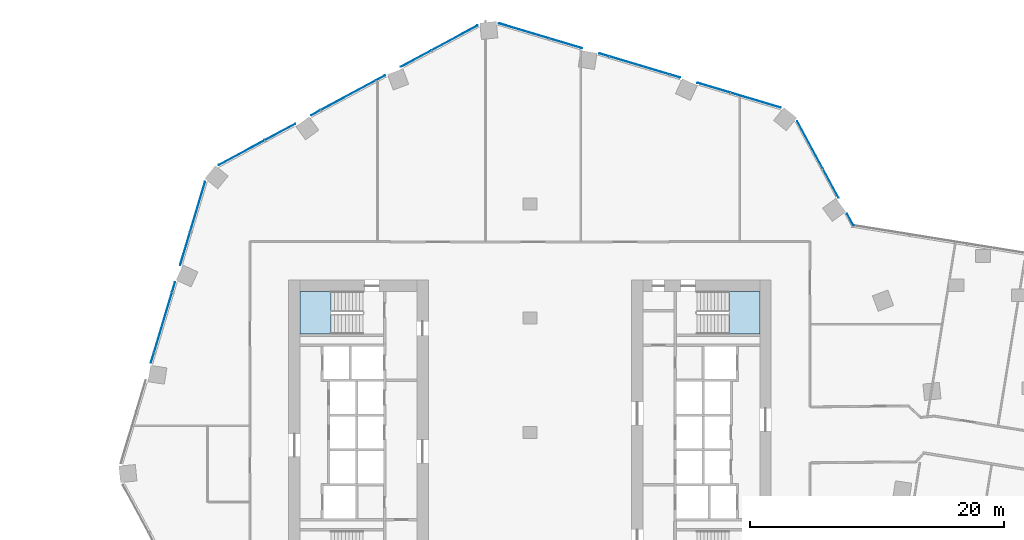
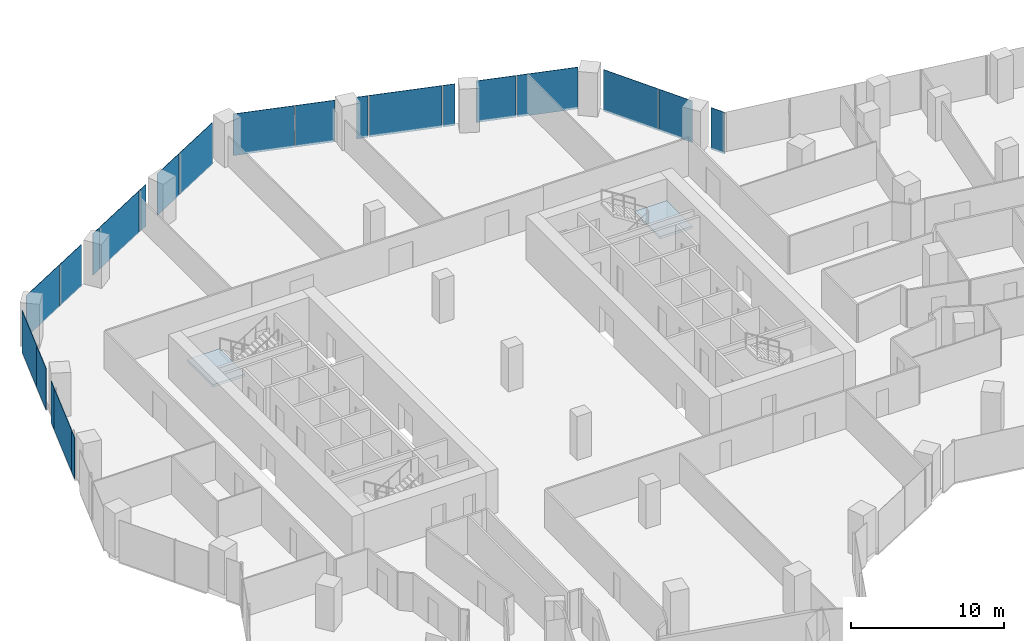
# One storey, part 23 of 34: 22 plates, 2 slabs, 6 elements without a shape of their own.
"""IFC4 building model written with IfcOpenShell, lengths in metres."""

from ifc_helpers import new_model, si_unit, direction, frame, origin, origin_2d, place, context, subcontext, project, spatial, polyline, rectangle, outline, extrude, material, layer, layer_set, type_object, element, aggregate, save


model = new_model("IFC4")

# Units and contexts
model_context = context("Model", 3, precision=1e-05, world=origin(), true_north=direction((0.0, 1.0)))
body_context = subcontext(model_context, "Body", "Model", "MODEL_VIEW")
ifc_project = project(units=[si_unit("LENGTHUNIT", "METRE"), si_unit("AREAUNIT", "SQUARE_METRE"), si_unit("VOLUMEUNIT", "CUBIC_METRE"), si_unit("PLANEANGLEUNIT", "RADIAN"), si_unit("MASSUNIT", "GRAM", prefix="KILO")], contexts=[model_context])

# Site, building, storey
site_placement = place(None, origin())
site = spatial("IfcSite", under=ifc_project, at=site_placement, CompositionType="ELEMENT")
building_placement = place(site_placement, origin())
building = spatial("IfcBuilding", under=site, at=building_placement, Name="Orlundy Tower", CompositionType="ELEMENT")
storey_placement = place(building_placement, frame((0.0, 0.0, 134.199951171875)))
storey = spatial("IfcBuildingStorey", under=building, at=storey_placement, Name="L34", CompositionType="ELEMENT", Elevation=134.199951171875)

# Curtain wall, plates
ifc_material_1 = material(Name="Aluminium bronze anodised", Category="aluminium")
curtain_wall_type = type_object("IfcCurtainWallType", Name="CW1 wall", PredefinedType="NOTDEFINED", material=ifc_material_1)
curtain_wall_1_placement = place(storey_placement, origin())
curtain_wall_1 = element("IfcCurtainWall", 1, at=curtain_wall_1_placement, inside=storey, type_object=curtain_wall_type, Name="CW1 run 02", PredefinedType="NOTDEFINED")
ifc_material_2 = material(Name="Tinted glass", Category="glass")
ifc_layer_1 = layer(ifc_material_2, 0.031982421875)
ifc_layer_set_1 = layer_set([ifc_layer_1], Name="CW1 glass panel 32")
plate_type = type_object("IfcPlateType", Name="CW1 glass panel 32", PredefinedType="CURTAIN_PANEL", material=ifc_layer_set_1)
plate_1_placement = place(storey_placement, frame((-29.731201171875, 5.86474609375, -0.280029296875), z_axis=(0.0, 0.0, 1.0), x_axis=(0.286816257107, 0.957985612971, 0.0)))
plate_1 = element("IfcPlate", 2, at=plate_1_placement, type_object=plate_type, Name="CW1 panel", PredefinedType="CURTAIN_PANEL", context=body_context, shape_type="SweptSolid", body=[
    extrude(rectangle(XDim=0.796630859375, YDim=0.031982421875, at=origin_2d()), origin(), (0.0, 0.0, 1.0), 3.330078125),
])
plate_2_placement = place(storey_placement, frame((-28.897216796875, 8.651123046875, -0.280029296875), z_axis=(0.0, 0.0, 1.0), x_axis=(0.286816257107, 0.957985612971, 0.0)))
plate_2 = element("IfcPlate", 3, at=plate_2_placement, type_object=plate_type, Name="CW1 panel", PredefinedType="CURTAIN_PANEL", context=body_context, shape_type="SweptSolid", body=[
    extrude(rectangle(XDim=4.92041015625, YDim=0.031982421875, at=origin_2d()), origin(), (0.0, 0.0, 1.0), 3.330078125),
])
plate_3_placement = place(storey_placement, frame((-28.06298828125, 11.4375, -0.280029296875), z_axis=(0.0, 0.0, 1.0), x_axis=(0.286816257107, 0.957985612971, 0.0)))
plate_3 = element("IfcPlate", 4, at=plate_3_placement, type_object=plate_type, Name="CW1 panel", PredefinedType="CURTAIN_PANEL", context=body_context, shape_type="SweptSolid", body=[
    extrude(rectangle(XDim=0.796875, YDim=0.031982421875, at=origin_2d()), origin(), (0.0, 0.0, 1.0), 3.330078125),
])
plate_4_placement = place(storey_placement, frame((-27.1513671875, 14.481689453125, -0.280029296875), z_axis=(0.0, 0.0, 1.0), x_axis=(0.286816257107, 0.957985612971, 0.0)))
plate_4 = element("IfcPlate", 5, at=plate_4_placement, type_object=plate_type, Name="CW1 panel", PredefinedType="CURTAIN_PANEL", context=body_context, shape_type="SweptSolid", body=[
    extrude(rectangle(XDim=2.6884765625, YDim=0.031982421875, at=origin_2d()), origin(), (0.0, 0.0, 1.0), 3.330078125),
])
plate_5_placement = place(storey_placement, frame((-26.16455078125, 17.7783203125, -0.280029296875), z_axis=(0.0, 0.0, 1.0), x_axis=(0.286816257107, 0.957985612971, 0.0)))
plate_5 = element("IfcPlate", 6, at=plate_5_placement, type_object=plate_type, Name="CW1 panel", PredefinedType="CURTAIN_PANEL", context=body_context, shape_type="SweptSolid", body=[
    extrude(rectangle(XDim=4.09375, YDim=0.031982421875, at=origin_2d()), origin(), (0.0, 0.0, 1.0), 3.330078125),
])
aggregate(curtain_wall_1, [plate_1, plate_2, plate_3, plate_4, plate_5])

curtain_wall_2_placement = place(storey_placement, origin())
curtain_wall_2 = element("IfcCurtainWall", 7, at=curtain_wall_2_placement, inside=storey, type_object=curtain_wall_type, Name="CW1 run 03", PredefinedType="NOTDEFINED")
plate_6_placement = place(storey_placement, frame((-22.701904296875, 22.0283203125, -0.280029296875), z_axis=(0.0, 0.0, 1.0), x_axis=(0.880191882793, 0.47461800373, 0.0)))
plate_6 = element("IfcPlate", 8, at=plate_6_placement, type_object=plate_type, Name="CW1 panel", PredefinedType="CURTAIN_PANEL", context=body_context, shape_type="SweptSolid", body=[
    extrude(rectangle(XDim=4.09326171875, YDim=0.031982421875, at=origin_2d()), origin(), (0.0, 0.0, 1.0), 3.330078125),
])
plate_7_placement = place(storey_placement, frame((-19.67138671875, 23.662353515625, -0.280029296875), z_axis=(0.0, 0.0, 1.0), x_axis=(0.880191882793, 0.47461800373, 0.0)))
plate_7 = element("IfcPlate", 9, at=plate_7_placement, type_object=plate_type, Name="CW1 panel", PredefinedType="CURTAIN_PANEL", context=body_context, shape_type="SweptSolid", body=[
    extrude(rectangle(XDim=2.69287109375, YDim=0.031982421875, at=origin_2d()), origin(), (0.0, 0.0, 1.0), 3.330078125),
])
plate_8_placement = place(storey_placement, frame((-16.8759765625, 25.169921875, -0.280029296875), z_axis=(0.0, 0.0, 1.0), x_axis=(0.880191882793, 0.47461800373, 0.0)))
plate_8 = element("IfcPlate", 10, at=plate_8_placement, type_object=plate_type, Name="CW1 panel", PredefinedType="CURTAIN_PANEL", context=body_context, shape_type="SweptSolid", body=[
    extrude(rectangle(XDim=0.79638671875, YDim=0.031982421875, at=origin_2d()), origin(), (0.0, 0.0, 1.0), 3.330078125),
])
plate_9_placement = place(storey_placement, frame((-14.31591796875, 26.55029296875, -0.280029296875), z_axis=(0.0, 0.0, 1.0), x_axis=(0.880191882793, 0.47461800373, 0.0)))
plate_9 = element("IfcPlate", 11, at=plate_9_placement, type_object=plate_type, Name="CW1 panel", PredefinedType="CURTAIN_PANEL", context=body_context, shape_type="SweptSolid", body=[
    extrude(rectangle(XDim=4.920654296875, YDim=0.031982421875, at=origin_2d()), origin(), (0.0, 0.0, 1.0), 3.330078125),
])
plate_10_placement = place(storey_placement, frame((-11.755615234375, 27.930908203125, -0.280029296875), z_axis=(0.0, 0.0, 1.0), x_axis=(0.880191882793, 0.47461800373, 0.0)))
plate_10 = element("IfcPlate", 12, at=plate_10_placement, type_object=plate_type, Name="CW1 panel", PredefinedType="CURTAIN_PANEL", context=body_context, shape_type="SweptSolid", body=[
    extrude(rectangle(XDim=0.79638671875, YDim=0.031982421875, at=origin_2d()), origin(), (0.0, 0.0, 1.0), 3.330078125),
])
plate_11_placement = place(storey_placement, frame((-8.9609375, 29.437744140625, -0.280029296875), z_axis=(0.0, 0.0, 1.0), x_axis=(0.880191882793, 0.47461800373, 0.0)))
plate_11 = element("IfcPlate", 13, at=plate_11_placement, type_object=plate_type, Name="CW1 panel", PredefinedType="CURTAIN_PANEL", context=body_context, shape_type="SweptSolid", body=[
    extrude(rectangle(XDim=2.69482421875, YDim=0.031982421875, at=origin_2d()), origin(), (0.0, 0.0, 1.0), 3.330078125),
])
plate_12_placement = place(storey_placement, frame((-5.929443359375, 31.072509765625, -0.280029296875), z_axis=(0.0, 0.0, 1.0), x_axis=(0.880191882793, 0.47461800373, 0.0)))
plate_12 = element("IfcPlate", 14, at=plate_12_placement, type_object=plate_type, Name="CW1 panel", PredefinedType="CURTAIN_PANEL", context=body_context, shape_type="SweptSolid", body=[
    extrude(rectangle(XDim=4.09375, YDim=0.031982421875, at=origin_2d()), origin(), (0.0, 0.0, 1.0), 3.330078125),
])
aggregate(curtain_wall_2, [plate_6, plate_7, plate_8, plate_9, plate_10, plate_11, plate_12])

curtain_wall_3_placement = place(storey_placement, origin())
curtain_wall_3 = element("IfcCurtainWall", 15, at=curtain_wall_3_placement, inside=storey, type_object=curtain_wall_type, Name="CW1 run 04", PredefinedType="NOTDEFINED")
plate_13_placement = place(storey_placement, frame((-0.47607421875, 31.629638671875, -0.280029296875), z_axis=(0.0, 0.0, 1.0), x_axis=(0.957985612971, -0.286816257107, 0.0)))
plate_13 = element("IfcPlate", 16, at=plate_13_placement, type_object=plate_type, Name="CW1 panel", PredefinedType="CURTAIN_PANEL", context=body_context, shape_type="SweptSolid", body=[
    extrude(rectangle(XDim=4.09326171875, YDim=0.031982421875, at=origin_2d()), origin(), (0.0, 0.0, 1.0), 3.330078125),
])
plate_14_placement = place(storey_placement, frame((2.822998046875, 30.64208984375, -0.280029296875), z_axis=(0.0, 0.0, 1.0), x_axis=(0.957985612971, -0.286816257107, 0.0)))
plate_14 = element("IfcPlate", 17, at=plate_14_placement, type_object=plate_type, Name="CW1 panel", PredefinedType="CURTAIN_PANEL", context=body_context, shape_type="SweptSolid", body=[
    extrude(rectangle(XDim=2.69384765625, YDim=0.031982421875, at=origin_2d()), origin(), (0.0, 0.0, 1.0), 3.330078125),
])
plate_15_placement = place(storey_placement, frame((5.86474609375, 29.731201171875, -0.280029296875), z_axis=(0.0, 0.0, 1.0), x_axis=(0.957985612971, -0.286816257107, 0.0)))
plate_15 = element("IfcPlate", 18, at=plate_15_placement, type_object=plate_type, Name="CW1 panel", PredefinedType="CURTAIN_PANEL", context=body_context, shape_type="SweptSolid", body=[
    extrude(rectangle(XDim=0.796630859375, YDim=0.031982421875, at=origin_2d()), origin(), (0.0, 0.0, 1.0), 3.330078125),
])
plate_16_placement = place(storey_placement, frame((8.651123046875, 28.897216796875, -0.280029296875), z_axis=(0.0, 0.0, 1.0), x_axis=(0.957985612971, -0.286816257107, 0.0)))
plate_16 = element("IfcPlate", 19, at=plate_16_placement, type_object=plate_type, Name="CW1 panel", PredefinedType="CURTAIN_PANEL", context=body_context, shape_type="SweptSolid", body=[
    extrude(rectangle(XDim=4.92041015625, YDim=0.031982421875, at=origin_2d()), origin(), (0.0, 0.0, 1.0), 3.330078125),
])
plate_17_placement = place(storey_placement, frame((11.4375, 28.06298828125, -0.280029296875), z_axis=(0.0, 0.0, 1.0), x_axis=(0.957985612971, -0.286816257107, 0.0)))
plate_17 = element("IfcPlate", 20, at=plate_17_placement, type_object=plate_type, Name="CW1 panel", PredefinedType="CURTAIN_PANEL", context=body_context, shape_type="SweptSolid", body=[
    extrude(rectangle(XDim=0.796875, YDim=0.031982421875, at=origin_2d()), origin(), (0.0, 0.0, 1.0), 3.330078125),
])
plate_18_placement = place(storey_placement, frame((14.481689453125, 27.1513671875, -0.280029296875), z_axis=(0.0, 0.0, 1.0), x_axis=(0.957985612971, -0.286816257107, 0.0)))
plate_18 = element("IfcPlate", 21, at=plate_18_placement, type_object=plate_type, Name="CW1 panel", PredefinedType="CURTAIN_PANEL", context=body_context, shape_type="SweptSolid", body=[
    extrude(rectangle(XDim=2.6884765625, YDim=0.031982421875, at=origin_2d()), origin(), (0.0, 0.0, 1.0), 3.330078125),
])
plate_19_placement = place(storey_placement, frame((17.7783203125, 26.16455078125, -0.280029296875), z_axis=(0.0, 0.0, 1.0), x_axis=(0.957985612971, -0.286816257107, 0.0)))
plate_19 = element("IfcPlate", 22, at=plate_19_placement, type_object=plate_type, Name="CW1 panel", PredefinedType="CURTAIN_PANEL", context=body_context, shape_type="SweptSolid", body=[
    extrude(rectangle(XDim=4.09375, YDim=0.031982421875, at=origin_2d()), origin(), (0.0, 0.0, 1.0), 3.330078125),
])
aggregate(curtain_wall_3, [plate_13, plate_14, plate_15, plate_16, plate_17, plate_18, plate_19])

curtain_wall_4_placement = place(storey_placement, origin())
curtain_wall_4 = element("IfcCurtainWall", 23, at=curtain_wall_4_placement, inside=storey, type_object=curtain_wall_type, Name="CW1 run 05", PredefinedType="NOTDEFINED")
plate_20_placement = place(storey_placement, frame((22.0634765625, 22.636962890625, -0.280029296875), z_axis=(0.0, 0.0, 1.0), x_axis=(0.4746239814, -0.880188659482, 0.0)))
plate_20 = element("IfcPlate", 24, at=plate_20_placement, type_object=plate_type, Name="CW1 panel", PredefinedType="CURTAIN_PANEL", context=body_context, shape_type="SweptSolid", body=[
    extrude(rectangle(XDim=4.2412109375, YDim=0.031982421875, at=origin_2d()), origin(), (0.0, 0.0, 1.0), 3.330078125),
])
plate_21_placement = place(storey_placement, frame((23.69775390625, 19.606201171875, -0.280029296875), z_axis=(0.0, 0.0, 1.0), x_axis=(0.4746239814, -0.880188659482, 0.0)))
plate_21 = element("IfcPlate", 25, at=plate_21_placement, type_object=plate_type, Name="CW1 panel", PredefinedType="CURTAIN_PANEL", context=body_context, shape_type="SweptSolid", body=[
    extrude(rectangle(XDim=2.545166015625, YDim=0.031982421875, at=origin_2d()), origin(), (0.0, 0.0, 1.0), 3.330078125),
])
plate_22_placement = place(storey_placement, frame((25.22705078125, 16.770263671875, -0.280029296875), z_axis=(0.0, 0.0, 1.0), x_axis=(0.4746239814, -0.880188659482, 0.0)))
plate_22 = element("IfcPlate", 26, at=plate_22_placement, type_object=plate_type, Name="CW1 panel", PredefinedType="CURTAIN_PANEL", context=body_context, shape_type="SweptSolid", body=[
    extrude(rectangle(XDim=1.03662109375, YDim=0.031982421875, at=origin_2d()), origin(), (0.0, 0.0, 1.0), 3.330078125),
])
aggregate(curtain_wall_4, [plate_20, plate_21, plate_22])

# Stair, slab
ifc_material_3 = material(Name="Concrete C50/60", Category="concrete")
stair_type = type_object("IfcStairType", Name="Exit Stair 20 risers", PredefinedType="HALF_TURN_STAIR", material=ifc_material_3)
stair_1_placement = place(storey_placement, origin())
stair_1 = element("IfcStair", 27, at=stair_1_placement, inside=storey, type_object=stair_type, Name="L34 Exit Stair ST-W1", PredefinedType="HALF_TURN_STAIR")
ifc_material_4 = material(Name="Concrete C50/60", Category="concrete")
ifc_layer_2 = layer(ifc_material_4, 0.199951171875)
ifc_layer_set_2 = layer_set([ifc_layer_2], Name="Exit Stair Landing")
slab_type = type_object("IfcSlabType", Name="Exit Stair Landing", PredefinedType="LANDING", material=ifc_layer_set_2)
slab_1_placement = place(storey_placement, frame((0.0, 0.0, 1.550048828125)))
slab_1 = element("IfcSlab", 28, at=slab_1_placement, type_object=slab_type, Name="ST-W1 landing 1", PredefinedType="LANDING", context=body_context, shape_type="SweptSolid", body=[
    extrude(outline(polyline([(-15.659912109375, 11.10009765625), (-18.10009765625, 11.10009765625), (-18.10009765625, 7.75), (-15.659912109375, 7.75), (-15.659912109375, 11.10009765625)])), origin(), (0.0, 0.0, 1.0), 0.199951171875),
])
aggregate(stair_1, [slab_1])

stair_2_placement = place(storey_placement, origin())
stair_2 = element("IfcStair", 29, at=stair_2_placement, inside=storey, type_object=stair_type, Name="L34 Exit Stair ST-E2", PredefinedType="HALF_TURN_STAIR")
slab_2_placement = place(storey_placement, frame((0.0, 0.0, 1.550048828125)))
slab_2 = element("IfcSlab", 30, at=slab_2_placement, type_object=slab_type, Name="ST-E2 landing 1", PredefinedType="LANDING", context=body_context, shape_type="SweptSolid", body=[
    extrude(outline(polyline([(15.659912109375, 7.75), (18.10009765625, 7.75), (18.10009765625, 11.10009765625), (15.659912109375, 11.10009765625), (15.659912109375, 7.75)])), origin(), (0.0, 0.0, 1.0), 0.199951171875),
])
aggregate(stair_2, [slab_2])

save(model, "model.ifc")
